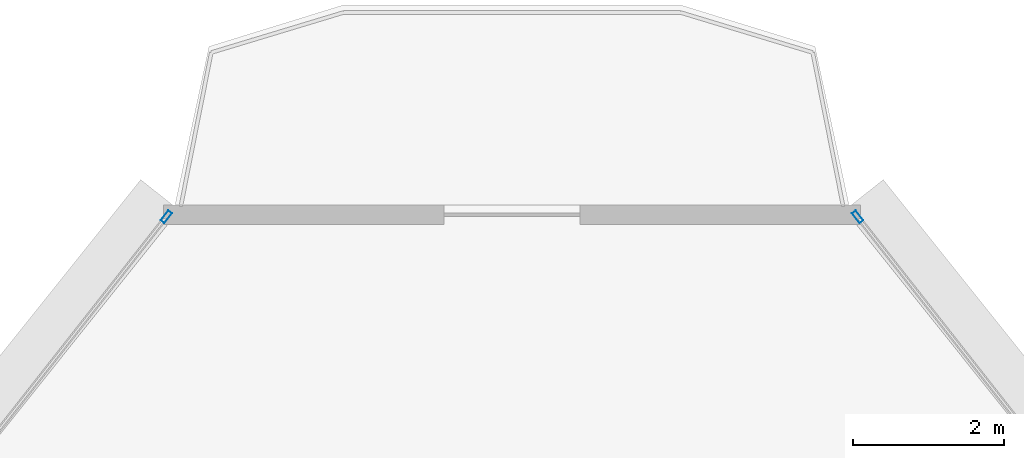
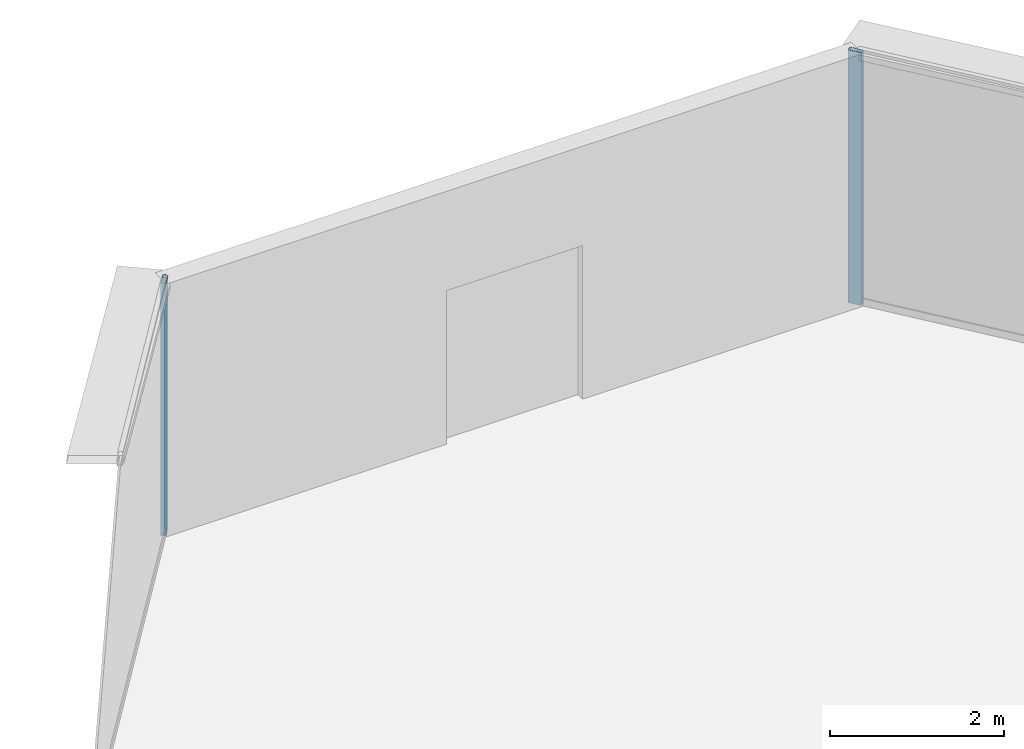
# One storey, part 26 of 39: 2 members, 2 elements without a shape of their own.
"""IFC4 building model written with IfcOpenShell, lengths in metres."""

from ifc_helpers import new_model, si_unit, direction, frame, origin, origin_2d, place, context, subcontext, project, spatial, hollow_rectangle, extrude, source, transform, mapped, material, layer, layer_set, material_profile, profile_set, type_object, element, aggregate, save


model = new_model("IFC4")

# Units and contexts
model_context = context("Model", 3, precision=1e-05, world=origin(), true_north=direction((0.0, 1.0)))
body_context = subcontext(model_context, "Body", "Model", "MODEL_VIEW")
ifc_project = project(units=[si_unit("LENGTHUNIT", "METRE"), si_unit("AREAUNIT", "SQUARE_METRE"), si_unit("VOLUMEUNIT", "CUBIC_METRE"), si_unit("PLANEANGLEUNIT", "RADIAN"), si_unit("MASSUNIT", "GRAM", prefix="KILO"), si_unit("THERMODYNAMICTEMPERATUREUNIT", "KELVIN"), si_unit("POWERUNIT", "WATT")], contexts=[model_context])

# Site, building, storey
site_placement = place(None, origin())
site = spatial("IfcSite", under=ifc_project, at=site_placement, CompositionType="ELEMENT")
building_placement = place(site_placement, origin())
building = spatial("IfcBuilding", under=site, at=building_placement, Name="Yunzhuo Pagoda Commons", CompositionType="ELEMENT")
storey_placement = place(building_placement, frame((0.0, 0.0, 100.179931640625)))
storey = spatial("IfcBuildingStorey", under=building, at=storey_placement, Name="L25", CompositionType="ELEMENT", Elevation=100.179931640625)

# Curtain wall, member
ifc_material = material(Name="Anodized aluminium 6063-T6", Category="aluminium")
ifc_layer = layer(ifc_material, 0.1650390625)
ifc_layer_set = layer_set([ifc_layer], Name="Anodized aluminium 6063-T6")
curtain_wall_type = type_object("IfcCurtainWallType", Name="CW-LOW Low-Zone Ribbon Curtain Wall", PredefinedType="NOTDEFINED", material=ifc_layer_set)
curtain_wall_1_placement = place(storey_placement, origin())
curtain_wall_1 = element("IfcCurtainWall", 1, at=curtain_wall_1_placement, inside=storey, type_object=curtain_wall_type, Name="L25 curtain wall CW-L25-F2B5", PredefinedType="NOTDEFINED")
ifc_material_profile = material_profile(ifc_material, hollow_rectangle(XDim=0.06494140625, YDim=0.1650390625, WallThickness=0.00390625, at=origin_2d()), Name="Anodized aluminium 6063-T6")
ifc_profile_set = profile_set([ifc_material_profile], Name="Anodized aluminium 6063-T6")
member_type = type_object("IfcMemberType", Name="CW-LOW-M Mullion RHS 165x65x4", PredefinedType="MULLION", material=ifc_profile_set)
shared_shape = source(origin(), body_context, "Body", "SweptSolid", [
    extrude(hollow_rectangle(XDim=0.06494140625, YDim=0.1650390625, WallThickness=0.00390625, at=origin_2d()), origin(), (0.0, 0.0, 1.0), 3.5400390625),
])
member_1_placement = place(storey_placement, frame((52.577392578125, 86.879150390625, 0.0), z_axis=(0.0, 0.0, 1.0), x_axis=(-0.786214870416, -0.617953216301, 0.0)))
member_1 = element("IfcMember", 2, at=member_1_placement, type_object=member_type, Name="CW mullion 2", PredefinedType="MULLION", context=body_context, shape_type="MappedRepresentation", body=[
    mapped(shared_shape, transform((0.0, 0.0, 0.0), scale=1.0)),
])
aggregate(curtain_wall_1, [member_1])

curtain_wall_2_placement = place(storey_placement, origin())
curtain_wall_2 = element("IfcCurtainWall", 3, at=curtain_wall_2_placement, inside=storey, type_object=curtain_wall_type, Name="L25 curtain wall CW-L25-F3B1", PredefinedType="NOTDEFINED")
member_2_placement = place(storey_placement, frame((43.422607421875, 86.879150390625, 0.0), z_axis=(0.0, 0.0, 1.0), x_axis=(0.786214870416, -0.617953216301, 0.0)))
member_2 = element("IfcMember", 4, at=member_2_placement, type_object=member_type, Name="CW mullion 1", PredefinedType="MULLION", context=body_context, shape_type="MappedRepresentation", body=[
    mapped(shared_shape, transform((0.0, 0.0, 0.0), scale=1.0)),
])
aggregate(curtain_wall_2, [member_2])

save(model, "model.ifc")
